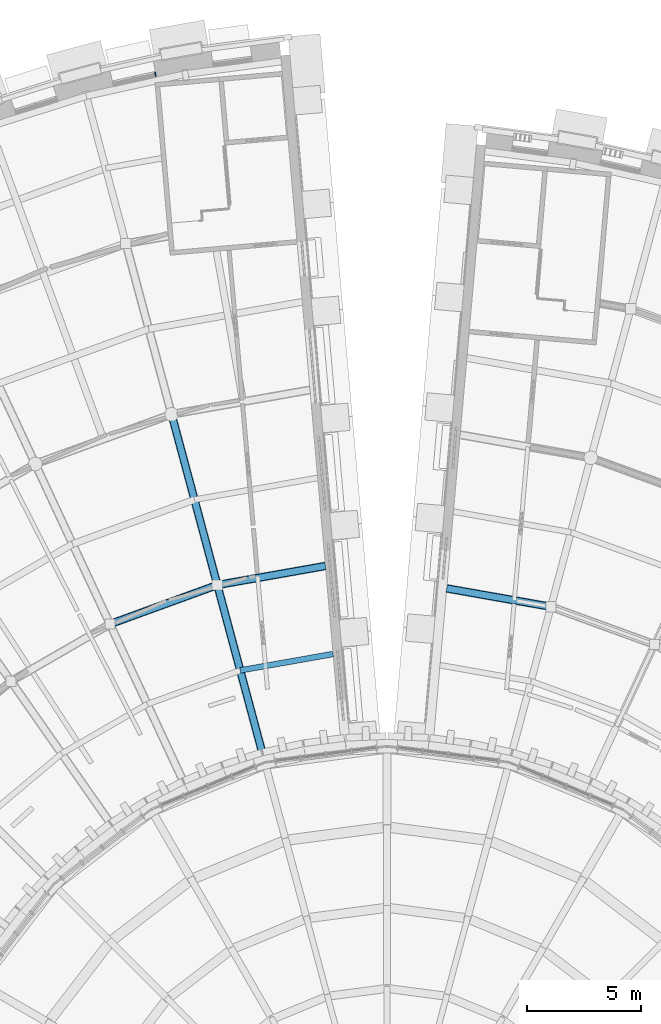
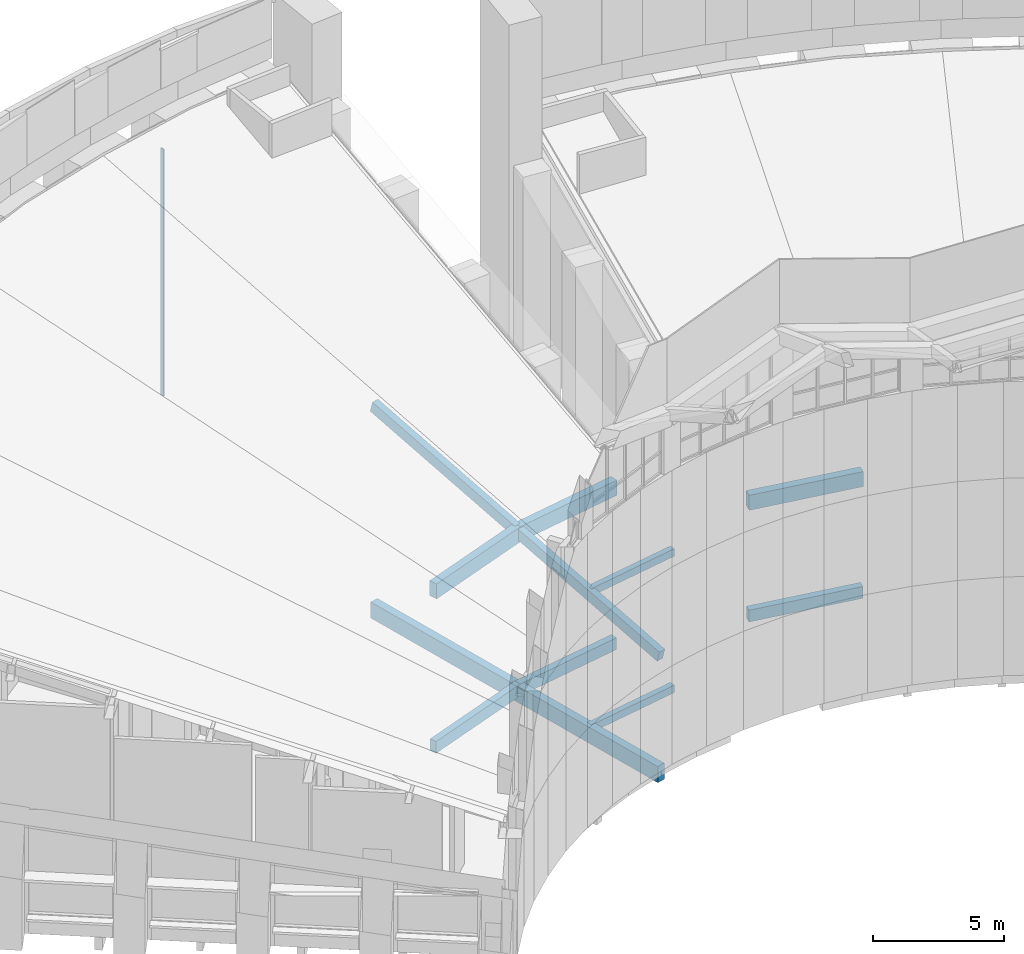
# One storey, part 26 of 82: 12 beams, 1 member, 1 element without a shape of its own.
"""IFC4 building model written with IfcOpenShell, lengths in metres."""

import ifcopenshell
import ifcopenshell.guid

model = None  # the IFC model being written
_history = None  # IfcOwnerHistory: only IFC2X3 demands one
_inside = {}  # id of a spatial element -> (the spatial element, [elements in it])
_under = {}  # id of a project, library or spatial element -> (it, [spatial elements below it])
_declared = {}  # id of a project -> (the project, [libraries it declares])
_typed = {}  # id of a type object -> (the type object, [elements of that type])
_made_of = {}  # id of a material, layer set ... -> (it, [elements and type objects made of it])


def new_model(schema):
    """Start an empty IFC model of exactly this schema.

    Asked for "IFC4X3", IfcOpenShell would pick the latest addendum, in which some entities
    have other attributes; the version numbers below select the first issue.
    IFC2X3 requires an IfcOwnerHistory on every rooted entity: one is made here for all.
    """
    global model, _history
    if schema == "IFC4X3":
        model = ifcopenshell.file(schema_version=(4, 3, 0, 0))
    else:
        model = ifcopenshell.file(schema=schema)
    _inside.clear()
    _under.clear()
    _declared.clear()
    _typed.clear()
    _made_of.clear()
    _history = None
    if model.schema == "IFC2X3":
        org = make("IfcOrganization", Name="unknown")
        user = make(
            "IfcPersonAndOrganization",
            ThePerson=make("IfcPerson", FamilyName="unknown"),
            TheOrganization=org,
        )
        app = make(
            "IfcApplication",
            ApplicationDeveloper=org,
            Version="unknown",
            ApplicationFullName="unknown",
            ApplicationIdentifier="unknown",
        )
        _history = make(
            "IfcOwnerHistory",
            OwningUser=user,
            OwningApplication=app,
            ChangeAction="ADDED",
            CreationDate=0,
        )
    return model


def make(cls, **values):
    """One entity of the class cls with the attributes given. An attribute that is None is left unset."""
    return model.create_entity(
        cls, **{name: value for name, value in values.items() if value is not None}
    )


def rooted(cls, **values):
    """An entity with a GlobalId (a new one), such as an element, a storey or a relation."""
    return make(cls, GlobalId=ifcopenshell.guid.new(), OwnerHistory=_history, **values)


def si_unit(unit_type, name, prefix=None):
    """IfcSIUnit, for example si_unit("LENGTHUNIT", "METRE", prefix="MILLI")."""
    return make("IfcSIUnit", UnitType=unit_type, Prefix=prefix, Name=name)


def assignment(units):
    """IfcUnitAssignment: the units of a project."""
    return None if units is None else make("IfcUnitAssignment", Units=units)


def point(xyz):
    """IfcCartesianPoint."""
    return None if xyz is None else make("IfcCartesianPoint", Coordinates=xyz)


def direction(xyz):
    """IfcDirection."""
    return None if xyz is None else make("IfcDirection", DirectionRatios=xyz)


def frame(location, z_axis=None, x_axis=None):
    """IfcAxis2Placement3D, a coordinate frame: its origin and axes. An axis left out is left unset."""
    return make(
        "IfcAxis2Placement3D",
        Location=point(location),
        Axis=direction(z_axis),
        RefDirection=direction(x_axis),
    )


def frame_2d(location, x_axis=None):
    """IfcAxis2Placement2D, a coordinate frame in the plane: its origin and x axis."""
    return make(
        "IfcAxis2Placement2D", Location=point(location), RefDirection=direction(x_axis)
    )


def origin():
    """The frame at (0, 0, 0) with its axes left unset."""
    return frame((0.0, 0.0, 0.0))


def origin_2d():
    """The frame at (0, 0) in the plane with its x axis left unset."""
    return frame_2d((0.0, 0.0))


def place(relative_to, where):
    """IfcLocalPlacement: puts the frame where relative to a parent placement (None: the world)."""
    return make(
        "IfcLocalPlacement", PlacementRelTo=relative_to, RelativePlacement=where
    )


def context(
    kind, dimensions, precision=None, world=None, true_north=None, identifier=None
):
    """IfcGeometricRepresentationContext, for example the 3D "Model" context."""
    return make(
        "IfcGeometricRepresentationContext",
        ContextIdentifier=identifier,
        ContextType=kind,
        CoordinateSpaceDimension=dimensions,
        Precision=precision,
        WorldCoordinateSystem=world,
        TrueNorth=true_north,
    )


def subcontext(parent, identifier, kind, view, scale=None):
    """IfcGeometricRepresentationSubContext, for example "Body" below "Model"."""
    return make(
        "IfcGeometricRepresentationSubContext",
        ContextIdentifier=identifier,
        ContextType=kind,
        ParentContext=parent,
        TargetScale=scale,
        TargetView=view,
    )


def project(units=None, contexts=None):
    """IfcProject with its units and contexts."""
    return rooted(
        "IfcProject",
        Name="project",
        RepresentationContexts=contexts,
        UnitsInContext=assignment(units),
    )


def spatial(cls, under=None, at=None, **own):
    """A site, building, storey or space (cls), placed at a placement, below another one or the project."""
    s = rooted(cls, ObjectPlacement=at, **own)
    if under is not None:
        _under.setdefault(under.id(), (under, []))[1].append(s)
    return s


def profile(cls, at=None, kind="AREA", **sizes):
    """A parametric profile (cls). Its sizes go by their IFC names, for example OverallWidth=200.0."""
    return make(cls, ProfileType=kind, Position=at, **sizes)


def rectangle(**sizes):
    """IfcRectangleProfileDef."""
    return profile("IfcRectangleProfileDef", **sizes)


def extrude(swept, where, along, depth):
    """IfcExtrudedAreaSolid: the profile swept, set in the frame where, extruded along a direction by depth."""
    return make(
        "IfcExtrudedAreaSolid",
        SweptArea=swept,
        Position=where,
        ExtrudedDirection=direction(along),
        Depth=depth,
    )


def shape(context_of_items, identifier, shape_type, items):
    """IfcShapeRepresentation: the items that make up one representation, for example the "Body"."""
    return make(
        "IfcShapeRepresentation",
        ContextOfItems=context_of_items,
        RepresentationIdentifier=identifier,
        RepresentationType=shape_type,
        Items=items,
    )


def material(Name=None, Category=None):
    """IfcMaterial."""
    return make("IfcMaterial", Name=Name, Category=Category)


def layer(
    of_material, thickness, ventilated=None, Name=None, Category=None, Priority=None
):
    """IfcMaterialLayer: one layer of a wall or slab, of a material (None: an air gap)."""
    return make(
        "IfcMaterialLayer",
        Material=of_material,
        LayerThickness=thickness,
        IsVentilated=ventilated,
        Name=Name,
        Category=Category,
        Priority=Priority,
    )


def layer_set(layers, Name=None):
    """IfcMaterialLayerSet."""
    return make("IfcMaterialLayerSet", MaterialLayers=layers, LayerSetName=Name)


def material_profile(
    of_material, cross_section, Name=None, Category=None, Priority=None
):
    """IfcMaterialProfile: a cross section and its material."""
    return make(
        "IfcMaterialProfile",
        Name=Name,
        Material=of_material,
        Profile=cross_section,
        Priority=Priority,
        Category=Category,
    )


def profile_set(profiles, Name=None, composite=None):
    """IfcMaterialProfileSet."""
    return make(
        "IfcMaterialProfileSet",
        Name=Name,
        MaterialProfiles=profiles,
        CompositeProfile=composite,
    )


def made_of(thing, what):
    """Note that an element or type object is made of a material, layer set ...; save() writes the relation."""
    if what is not None:
        _made_of.setdefault(what.id(), (what, []))[1].append(thing)
    return thing


def type_object(cls, material=None, **own):
    """A type object (cls), such as IfcWallType, which elements share."""
    return made_of(rooted(cls, **own), material)


def element(
    cls,
    number,
    at=None,
    inside=None,
    cuts=None,
    type_object=None,
    material=None,
    context=None,
    identifier="Body",
    shape_type=None,
    held_by="IfcProductDefinitionShape",
    body=None,
    shapes=None,
    **own,
):
    """One element of the class cls, such as IfcWall. Its Tag is "e" and its number.

    at: its placement. inside: the storey or other place that contains it. cuts: it is an
    opening in that element (IfcRelVoidsElement). A single representation is given by context,
    identifier, shape_type and body (its items); several are given by shapes. held_by: the class
    of the entity that holds the representations. save() writes the other relations.
    """
    e = rooted(cls, Tag="e%d" % number, ObjectPlacement=at, **own)
    if body is not None:
        shapes = [shape(context, identifier, shape_type, body)]
    if shapes is not None:
        e.Representation = make(held_by, Representations=shapes)
    if inside is not None:
        _inside.setdefault(inside.id(), (inside, []))[1].append(e)
    if cuts is not None:
        rooted(
            "IfcRelVoidsElement", RelatingBuildingElement=cuts, RelatedOpeningElement=e
        )
    if type_object is not None:
        _typed.setdefault(type_object.id(), (type_object, []))[1].append(e)
    return made_of(e, material)


def aggregate(whole, parts):
    """IfcRelAggregates: a whole, such as a stair, and the parts it consists of."""
    return rooted("IfcRelAggregates", RelatingObject=whole, RelatedObjects=parts)


def save(model, path):
    """Write the relations noted so far, then the file.

    IfcRelAggregates (storeys below a building ...), IfcRelContainedInSpatialStructure (elements
    in a storey), IfcRelDefinesByType, IfcRelAssociatesMaterial and IfcRelDeclares: one each for
    every whole, place, type object, material and project.
    """
    for whole, parts in _under.values():
        aggregate(whole, parts)
    for where, things in _inside.values():
        rooted(
            "IfcRelContainedInSpatialStructure",
            RelatedElements=things,
            RelatingStructure=where,
        )
    for kind, things in _typed.values():
        rooted("IfcRelDefinesByType", RelatedObjects=things, RelatingType=kind)
    for what, things in _made_of.values():
        rooted("IfcRelAssociatesMaterial", RelatedObjects=things, RelatingMaterial=what)
    for by, libraries in _declared.values():
        rooted("IfcRelDeclares", RelatingContext=by, RelatedDefinitions=libraries)
    model.write(path)


model = new_model("IFC4")

# Units and contexts
model_context = context("Model", 3, precision=1e-05, world=origin(), true_north=direction((0.0, 1.0)))
body_context = subcontext(model_context, "Body", "Model", "MODEL_VIEW")
ifc_project = project(units=[si_unit("LENGTHUNIT", "METRE"), si_unit("AREAUNIT", "SQUARE_METRE"), si_unit("VOLUMEUNIT", "CUBIC_METRE"), si_unit("PLANEANGLEUNIT", "RADIAN"), si_unit("MASSUNIT", "GRAM", prefix="KILO")], contexts=[model_context])

# Site, building, storey
site_placement = place(None, origin())
site = spatial("IfcSite", under=ifc_project, at=site_placement, CompositionType="ELEMENT")
building_placement = place(site_placement, origin())
building = spatial("IfcBuilding", under=site, at=building_placement, Name="Volute Hill Aquarium", CompositionType="ELEMENT")
storey_placement = place(building_placement, frame((0.0, 0.0, 13.800048828125)))
storey = spatial("IfcBuildingStorey", under=building, at=storey_placement, Name="L04", CompositionType="ELEMENT", Elevation=13.800048828125)

# Beams
ifc_material_1 = material(Name="Concrete C35/45", Category="concrete")
ifc_material_profile_1 = material_profile(ifc_material_1, rectangle(XDim=0.300048828125, YDim=0.550048828125, at=origin_2d()), Name="RC beam 300x550")
ifc_profile_set_1 = profile_set([ifc_material_profile_1], Name="Concrete C35/45")
beam_type_1 = type_object("IfcBeamType", Name="Beam 300x550 C35/45", PredefinedType="BEAM", material=ifc_profile_set_1)
beam_1_placement = place(storey_placement, frame((7.185546875, 26.81640625, -0.56494140625), z_axis=(-0.984801039026, 0.173686250269, 0.0), x_axis=(-0.173686250269, -0.984801039026, 0.0)))
element("IfcBeam", 1, at=beam_1_placement, inside=storey, type_object=beam_type_1, Name="bm/S5/L04/ring1.21", PredefinedType="BEAM", context=body_context, shape_type="SweptSolid", body=[
    extrude(rectangle(XDim=0.300048828125, YDim=0.550048828125, at=origin_2d()), origin(), (0.0, 0.0, 1.0), 4.638671875),
])
beam_2_placement = place(storey_placement, frame((-2.703369140625, 28.605712890625, -0.594970703125), z_axis=(-0.984813177336, -0.17361741199, 0.0), x_axis=(0.17361741199, -0.984813177336, 0.0)))
element("IfcBeam", 2, at=beam_2_placement, inside=storey, type_object=beam_type_1, Name="bm/S6/L04/ring1.17", PredefinedType="BEAM", context=body_context, shape_type="SweptSolid", body=[
    extrude(rectangle(XDim=0.300048828125, YDim=0.550048828125, at=origin_2d()), origin(), (0.0, 0.0, 1.0), 4.810546875),
])
beam_3_placement = place(storey_placement, frame((-7.44091796875, 27.7705078125, -0.594970703125), z_axis=(-0.939692398763, -0.342020753329, 0.0), x_axis=(0.342020753329, -0.939692398763, 0.0)))
element("IfcBeam", 3, at=beam_3_placement, inside=storey, type_object=beam_type_1, Name="bm/S6/L04/ring1.18", PredefinedType="BEAM", context=body_context, shape_type="SweptSolid", body=[
    extrude(rectangle(XDim=0.300048828125, YDim=0.550048828125, at=origin_2d()), origin(), (0.0, 0.0, 1.0), 5.01171875),
])
ifc_material_2 = material(Name="Concrete C35/45", Category="concrete")
ifc_material_profile_2 = material_profile(ifc_material_2, rectangle(XDim=0.35009765625, YDim=0.699951171875, at=origin_2d()), Name="RC beam 350x700")
ifc_profile_set_2 = profile_set([ifc_material_profile_2], Name="Concrete C35/45")
beam_type_2 = type_object("IfcBeamType", Name="Beam 350x700 C35/45", PredefinedType="BEAM", material=ifc_profile_set_2)
beam_4_placement = place(storey_placement, frame((7.185546875, 26.81640625, 4.730224609375), z_axis=(-0.984801039026, 0.173686250269, 0.0), x_axis=(-0.173686250269, -0.984801039026, 0.0)))
element("IfcBeam", 4, at=beam_4_placement, inside=storey, type_object=beam_type_2, Name="rb/S5/L04/ring1.21", PredefinedType="BEAM", context=body_context, shape_type="SweptSolid", body=[
    extrude(rectangle(XDim=0.35009765625, YDim=0.699951171875, at=origin_2d()), origin(), (0.0, 0.0, 1.0), 4.638671875),
])
beam_5_placement = place(storey_placement, frame((-2.703369140625, 28.605712890625, 6.68408203125), z_axis=(-0.984813177336, -0.17361741199, 0.0), x_axis=(0.17361741199, -0.984813177336, 0.0)))
element("IfcBeam", 5, at=beam_5_placement, inside=storey, type_object=beam_type_2, Name="rb/S6/L04/ring1.17", PredefinedType="BEAM", context=body_context, shape_type="SweptSolid", body=[
    extrude(rectangle(XDim=0.35009765625, YDim=0.699951171875, at=origin_2d()), origin(), (0.0, 0.0, 1.0), 4.810546875),
])
beam_6_placement = place(storey_placement, frame((-7.44091796875, 27.7705078125, 6.68408203125), z_axis=(-0.939692398763, -0.342020753329, 0.0), x_axis=(0.342020753329, -0.939692398763, 0.0)))
element("IfcBeam", 6, at=beam_6_placement, inside=storey, type_object=beam_type_2, Name="rb/S6/L04/ring1.18", PredefinedType="BEAM", context=body_context, shape_type="SweptSolid", body=[
    extrude(rectangle(XDim=0.35009765625, YDim=0.699951171875, at=origin_2d()), origin(), (0.0, 0.0, 1.0), 5.01171875),
])
ifc_material_3 = material(Name="Concrete C35/45", Category="concrete")
ifc_material_profile_3 = material_profile(ifc_material_3, rectangle(XDim=0.35009765625, YDim=0.75, at=origin_2d()), Name="RC beam 350x750")
ifc_profile_set_3 = profile_set([ifc_material_profile_3], Name="Concrete C35/45")
beam_type_3 = type_object("IfcBeamType", Name="Beam 350x750 C35/45", PredefinedType="BEAM", material=ifc_profile_set_3)
for number, where, z_axis, x_axis, name in (
    (7, (-5.435302734375, 20.284423828125, -0.695068359375), (-0.258785947631, 0.965934694122, 0.0), (-0.965934694122, -0.258785947631, 0.0), "bm/S6/L04/rad1.1"),
    (8, (-7.44091796875, 27.7705078125, -0.695068359375), (-0.258852606365, 0.965916832951, 0.0), (-0.965916832951, -0.258852606365, 0.0), "bm/S6/L04/rad1.2"),
):
    element("IfcBeam", number, at=place(storey_placement, frame(where, z_axis=z_axis, x_axis=x_axis)), inside=storey, type_object=beam_type_3, Name=name, PredefinedType="BEAM", context=body_context, shape_type="SweptSolid", body=[
        extrude(rectangle(XDim=0.35009765625, YDim=0.75, at=origin_2d()), origin(), (0.0, 0.0, 1.0), 7.75),
    ])

# Curtain wall, member
ifc_material_4 = material(Name="Aluminium", Category="aluminium")
ifc_layer = layer(ifc_material_4, 0.25)
ifc_layer_set = layer_set([ifc_layer], Name="Curtain wall niche S6 module 967")
curtain_wall_type = type_object("IfcCurtainWallType", Name="Curtain wall niche S6 module 967", PredefinedType="NOTDEFINED", material=ifc_layer_set)
curtain_wall_placement = place(storey_placement, origin())
curtain_wall = element("IfcCurtainWall", 9, at=curtain_wall_placement, inside=storey, type_object=curtain_wall_type, Name="Curtain wall CW S6 L04 2", PredefinedType="NOTDEFINED")
ifc_material_5 = material(Name="Aluminium", Category="aluminium")
ifc_material_profile_4 = material_profile(ifc_material_5, rectangle(XDim=0.169921875, YDim=0.050048828125, at=origin_2d()), Name="Curtain wall mullion S6 50x170")
ifc_profile_set_4 = profile_set([ifc_material_profile_4], Name="Aluminium")
member_type = type_object("IfcMemberType", Name="Curtain wall mullion S6 50x170", PredefinedType="MULLION", material=ifc_profile_set_4)
member_placement = place(storey_placement, frame((-10.156982421875, 50.166748046875, 0.449951171875), z_axis=(0.0, 0.0, 1.0), x_axis=(0.216429433084, -0.976298264105, 0.0)))
member = element("IfcMember", 10, at=member_placement, type_object=member_type, Name="CW mullion 1", PredefinedType="MULLION", context=body_context, shape_type="SweptSolid", body=[
    extrude(rectangle(XDim=0.169921875, YDim=0.050048828125, at=origin_2d()), origin(), (0.0, 0.0, 1.0), 11.491455078125),
])
aggregate(curtain_wall, [member])

# Beams
ifc_material_6 = material(Name="Concrete C35/45", Category="concrete")
ifc_material_profile_5 = material_profile(ifc_material_6, rectangle(XDim=0.25, YDim=0.35009765625, at=origin_2d()), Name="RC joist 250x350")
ifc_profile_set_5 = profile_set([ifc_material_profile_5], Name="Concrete C35/45")
beam_type_4 = type_object("IfcBeamType", Name="Joist 250x350 C35/45", PredefinedType="BEAM", material=ifc_profile_set_5)
for number, where, z_axis, x_axis, name in (
    (11, (-2.36572265625, 24.745361328125, -0.4951171875), (-0.984809106321, -0.173640502499, 0.0), (0.173640502499, -0.984809106321, 0.0), "bm/S6/L04/jst1"),
    (12, (-2.36572265625, 24.745361328125, 5.863037109375), (-0.984809106321, -0.173640502499, 0.0), (0.173640502499, -0.984809106321, 0.0), "rb/S6/L04/jst1"),
):
    element("IfcBeam", number, at=place(storey_placement, frame(where, z_axis=z_axis, x_axis=x_axis)), inside=storey, type_object=beam_type_4, Name=name, PredefinedType="BEAM", context=body_context, shape_type="SweptSolid", body=[
        extrude(rectangle(XDim=0.25, YDim=0.35009765625, at=origin_2d()), origin(), (0.0, 0.0, 1.0), 4.135009765625),
    ])
ifc_material_7 = material(Name="Concrete C35/45", Category="concrete")
ifc_material_profile_6 = material_profile(ifc_material_7, rectangle(XDim=0.300048828125, YDim=0.5, at=origin_2d()), Name="RC rib 300x500")
ifc_profile_set_6 = profile_set([ifc_material_profile_6], Name="Concrete C35/45")
beam_type_5 = type_object("IfcBeamType", Name="Roof rib 300x500 C35/45", PredefinedType="BEAM", material=ifc_profile_set_6)
beam_7_placement = place(storey_placement, frame((-5.435302734375, 20.284423828125, 4.78369140625), z_axis=(-0.250635867054, 0.935514009919, 0.248988351921), x_axis=(-0.965934694122, -0.258785947631, 0.0)))
element("IfcBeam", 13, at=beam_7_placement, inside=storey, type_object=beam_type_5, Name="rb/S6/L04/rib1.1", PredefinedType="BEAM", context=body_context, shape_type="SweptSolid", body=[
    extrude(rectangle(XDim=0.300048828125, YDim=0.5, at=origin_2d()), origin(), (0.0, 0.0, 1.0), 8.002197265625),
])
beam_8_placement = place(storey_placement, frame((-7.44091796875, 27.7705078125, 6.776123046875), z_axis=(-0.250700206981, 0.935495892231, 0.248991650137), x_axis=(-0.965916832951, -0.258852606365, 0.0)))
element("IfcBeam", 14, at=beam_8_placement, inside=storey, type_object=beam_type_5, Name="rb/S6/L04/rib1.2", PredefinedType="BEAM", context=body_context, shape_type="SweptSolid", body=[
    extrude(rectangle(XDim=0.300048828125, YDim=0.5, at=origin_2d()), origin(), (0.0, 0.0, 1.0), 8.001953125),
])

save(model, "model.ifc")
